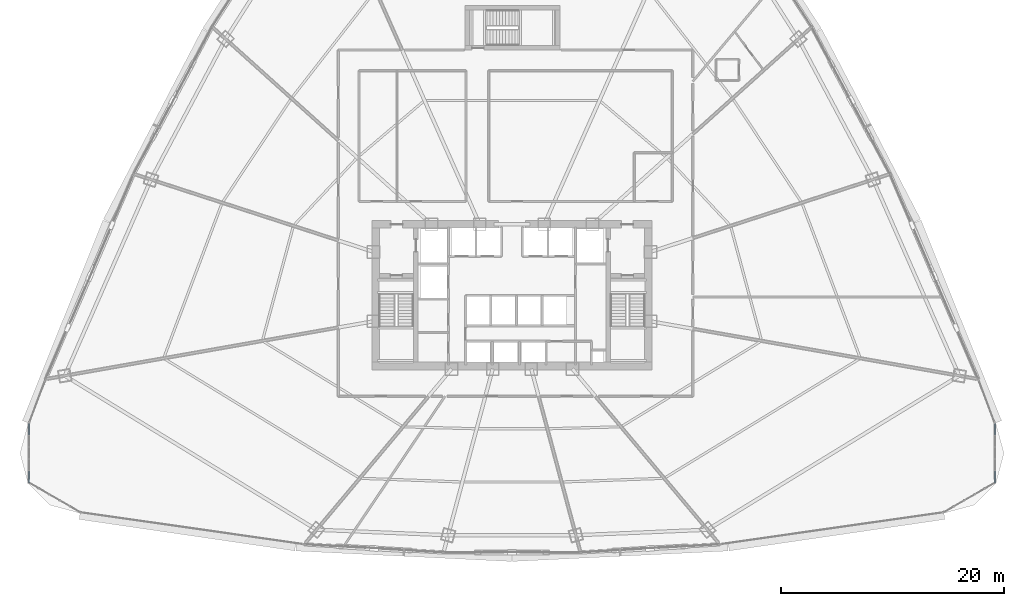
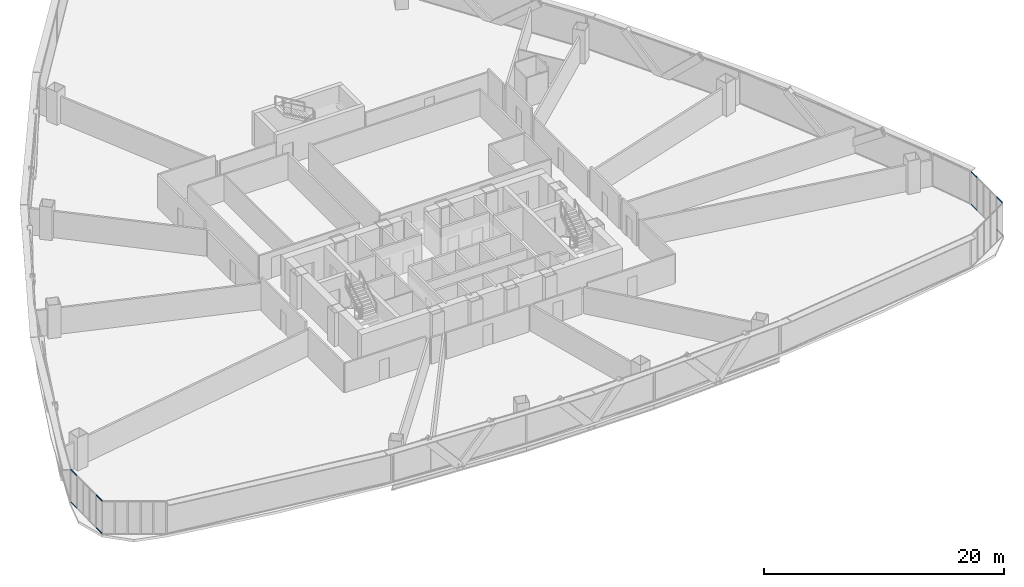
# One storey, part 30 of 42: 8 members, 2 elements without a shape of their own.
"""IFC4 building model written with IfcOpenShell, lengths in metres."""

from ifc_helpers import new_model, si_unit, direction, frame, origin, origin_2d, place, context, subcontext, project, spatial, hollow_rectangle, extrude, source, transform, mapped, material, layer, layer_set, material_profile, profile_set, type_object, element, aggregate, save


model = new_model("IFC4")

# Units and contexts
model_context = context("Model", 3, precision=1e-05, world=origin(), true_north=direction((0.0, 1.0)))
body_context = subcontext(model_context, "Body", "Model", "MODEL_VIEW")
ifc_project = project(units=[si_unit("LENGTHUNIT", "METRE"), si_unit("AREAUNIT", "SQUARE_METRE"), si_unit("VOLUMEUNIT", "CUBIC_METRE"), si_unit("PLANEANGLEUNIT", "RADIAN"), si_unit("MASSUNIT", "GRAM", prefix="KILO"), si_unit("THERMODYNAMICTEMPERATUREUNIT", "KELVIN"), si_unit("POWERUNIT", "WATT")], contexts=[model_context])

# Site, building, storey
site_placement = place(None, origin())
site = spatial("IfcSite", under=ifc_project, at=site_placement, CompositionType="ELEMENT")
building_placement = place(site_placement, origin())
building = spatial("IfcBuilding", under=site, at=building_placement, Name="Yunzhuo Pagoda Commons", CompositionType="ELEMENT")
storey_placement = place(building_placement, frame((0.0, 0.0, 41.2900390625)))
storey = spatial("IfcBuildingStorey", under=building, at=storey_placement, Name="L10", CompositionType="ELEMENT", Elevation=41.2900390625)

# Curtain wall, members
ifc_material = material(Name="Anodized aluminium 6063-T6", Category="aluminium")
ifc_layer = layer(ifc_material, 0.1298828125)
ifc_layer_set = layer_set([ifc_layer], Name="Anodized aluminium 6063-T6")
curtain_wall_type = type_object("IfcCurtainWallType", Name="CW-VTX Rounded Corner Curtain Wall", PredefinedType="NOTDEFINED", material=ifc_layer_set)
curtain_wall_1_placement = place(storey_placement, origin())
curtain_wall_1 = element("IfcCurtainWall", 1, at=curtain_wall_1_placement, inside=storey, type_object=curtain_wall_type, Name="L10 curtain wall CW-L10-VTX1S1", PredefinedType="NOTDEFINED")
ifc_material_profile = material_profile(ifc_material, hollow_rectangle(XDim=0.054931640625, YDim=0.1201171875, WallThickness=0.00341796875, at=origin_2d()), Name="Anodized aluminium 6063-T6")
ifc_profile_set = profile_set([ifc_material_profile], Name="Anodized aluminium 6063-T6")
member_type = type_object("IfcMemberType", Name="CW-VTX-T Transom RHS 120x55x3.5", PredefinedType="USERDEFINED", material=ifc_profile_set)
shared_shape_1 = source(origin(), body_context, "Body", "SweptSolid", [
    extrude(hollow_rectangle(XDim=0.054931640625, YDim=0.1201171875, WallThickness=0.00341796875, at=origin_2d()), origin(), (0.0, 0.0, 1.0), 0.990478515625),
])
member_1_placement = place(storey_placement, frame((4.748291015625, 22.3291015625, 0.02734375), z_axis=(-0.003450805187, -0.999994045954, 0.0), x_axis=(0.999994045954, -0.003450805187, 0.0)))
member_1 = element("IfcMember", 2, at=member_1_placement, type_object=member_type, Name="CW transom 1.1", ObjectType="TRANSOM", PredefinedType="USERDEFINED", context=body_context, shape_type="MappedRepresentation", body=[
    mapped(shared_shape_1, transform((0.0, 0.0, 0.0), scale=1.0)),
])
member_2_placement = place(storey_placement, frame((4.748291015625, 22.3291015625, 3.342529296875), z_axis=(-0.003450805187, -0.999994045954, 0.0), x_axis=(0.999994045954, -0.003450805187, 0.0)))
member_2 = element("IfcMember", 3, at=member_2_placement, type_object=member_type, Name="CW transom 1.2", ObjectType="TRANSOM", PredefinedType="USERDEFINED", context=body_context, shape_type="MappedRepresentation", body=[
    mapped(shared_shape_1, transform((0.0, 0.0, 0.0), scale=1.0)),
])

curtain_wall_2_placement = place(storey_placement, origin())
curtain_wall_2 = element("IfcCurtainWall", 4, at=curtain_wall_2_placement, inside=storey, type_object=curtain_wall_type, Name="L10 curtain wall CW-L10-VTX2S2", PredefinedType="NOTDEFINED")
member_3_placement = place(storey_placement, frame((91.255126953125, 21.338623046875, 0.02734375), z_axis=(-0.003450805187, 0.999994045954, 0.0), x_axis=(-0.999994045954, -0.003450805187, 0.0)))
member_3 = element("IfcMember", 5, at=member_3_placement, type_object=member_type, Name="CW transom 5.1", ObjectType="TRANSOM", PredefinedType="USERDEFINED", context=body_context, shape_type="MappedRepresentation", body=[
    mapped(shared_shape_1, transform((0.0, 0.0, 0.0), scale=1.0)),
])
member_4_placement = place(storey_placement, frame((91.255126953125, 21.338623046875, 3.342529296875), z_axis=(-0.003450805187, 0.999994045954, 0.0), x_axis=(-0.999994045954, -0.003450805187, 0.0)))
member_4 = element("IfcMember", 6, at=member_4_placement, type_object=member_type, Name="CW transom 5.2", ObjectType="TRANSOM", PredefinedType="USERDEFINED", context=body_context, shape_type="MappedRepresentation", body=[
    mapped(shared_shape_1, transform((0.0, 0.0, 0.0), scale=1.0)),
])

# Member
shared_shape_2 = source(origin(), body_context, "Body", "SweptSolid", [
    extrude(hollow_rectangle(XDim=0.054931640625, YDim=0.1201171875, WallThickness=0.00341796875, at=origin_2d()), origin(), (0.0, 0.0, 1.0), 0.990234375),
])
member_5_placement = place(storey_placement, frame((4.733154296875, 18.06494140625, 0.02734375), z_axis=(-0.003698199562, -0.999993161637, 0.0), x_axis=(0.999993161637, -0.003698199562, 0.0)))
member_5 = element("IfcMember", 7, at=member_5_placement, type_object=member_type, Name="CW transom 5.1", ObjectType="TRANSOM", PredefinedType="USERDEFINED", context=body_context, shape_type="MappedRepresentation", body=[
    mapped(shared_shape_2, transform((0.0, 0.0, 0.0), scale=1.0)),
])

member_6_placement = place(storey_placement, frame((4.733154296875, 18.06494140625, 3.342529296875), z_axis=(-0.003698199562, -0.999993161637, 0.0), x_axis=(0.999993161637, -0.003698199562, 0.0)))
member_6 = element("IfcMember", 8, at=member_6_placement, type_object=member_type, Name="CW transom 5.2", ObjectType="TRANSOM", PredefinedType="USERDEFINED", context=body_context, shape_type="MappedRepresentation", body=[
    mapped(shared_shape_2, transform((0.0, 0.0, 0.0), scale=1.0)),
])

aggregate(curtain_wall_1, [member_1, member_2, member_5, member_6])

member_7_placement = place(storey_placement, frame((91.2705078125, 17.07470703125, 0.02734375), z_axis=(-0.003698199562, 0.999993161637, 0.0), x_axis=(-0.999993161637, -0.003698199562, 0.0)))
member_7 = element("IfcMember", 9, at=member_7_placement, type_object=member_type, Name="CW transom 1.1", ObjectType="TRANSOM", PredefinedType="USERDEFINED", context=body_context, shape_type="MappedRepresentation", body=[
    mapped(shared_shape_2, transform((0.0, 0.0, 0.0), scale=1.0)),
])

member_8_placement = place(storey_placement, frame((91.2705078125, 17.07470703125, 3.342529296875), z_axis=(-0.003698199562, 0.999993161637, 0.0), x_axis=(-0.999993161637, -0.003698199562, 0.0)))
member_8 = element("IfcMember", 10, at=member_8_placement, type_object=member_type, Name="CW transom 1.2", ObjectType="TRANSOM", PredefinedType="USERDEFINED", context=body_context, shape_type="MappedRepresentation", body=[
    mapped(shared_shape_2, transform((0.0, 0.0, 0.0), scale=1.0)),
])

aggregate(curtain_wall_2, [member_7, member_8, member_3, member_4])

save(model, "model.ifc")
